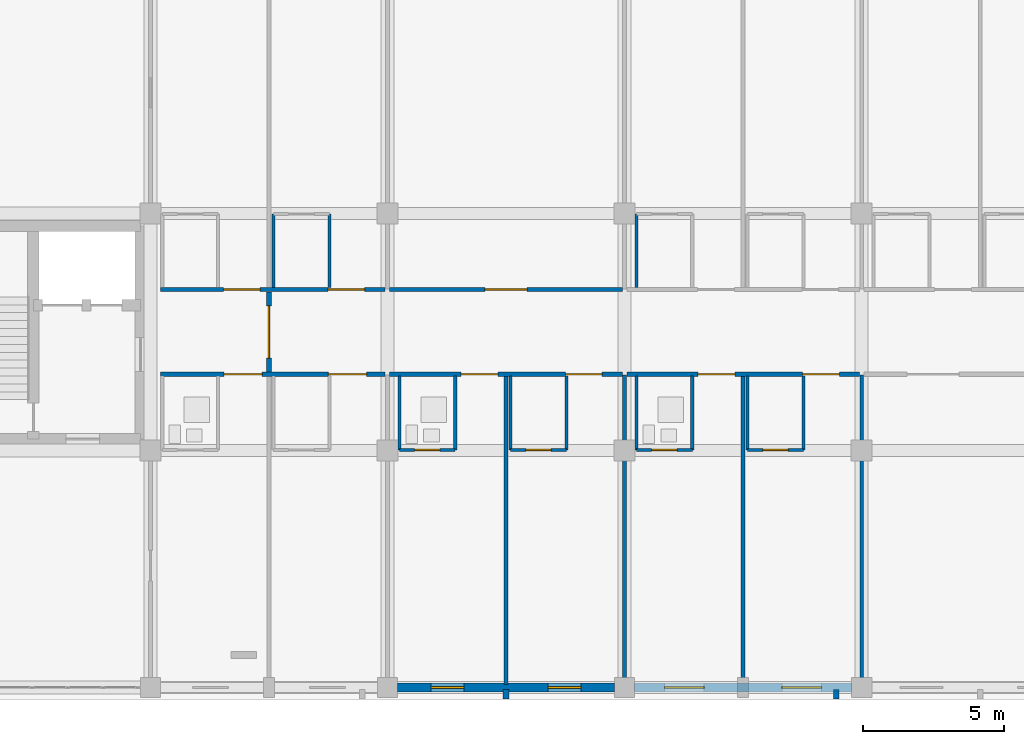
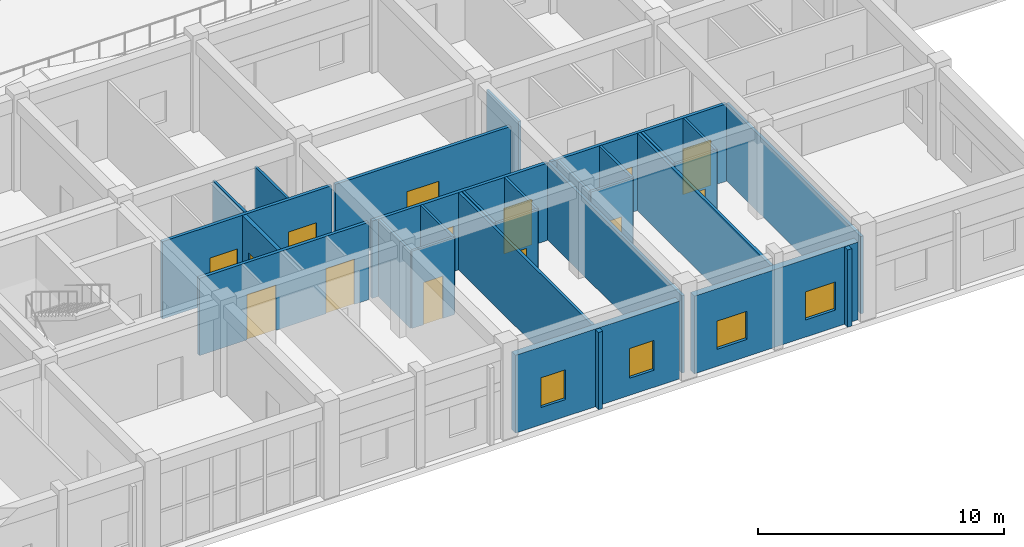
# One storey, part 122 of 158: 29 walls, 14 doors, 4 windows, 18 openings.
"""IFC4 building model written with IfcOpenShell, lengths in metres."""

from ifc_helpers import new_model, si_unit, direction, frame, frame_2d, origin, place, context, subcontext, project, spatial, rectangle, extrude, material, layer, layer_set, type_object, element, fill, save


model = new_model("IFC4")

# Units and contexts
model_context = context("Model", 3, precision=1e-05, world=origin(), true_north=direction((0.0, 1.0)))
body_context = subcontext(model_context, "Body", "Model", "MODEL_VIEW")
ifc_project = project(units=[si_unit("LENGTHUNIT", "METRE"), si_unit("AREAUNIT", "SQUARE_METRE"), si_unit("VOLUMEUNIT", "CUBIC_METRE"), si_unit("PLANEANGLEUNIT", "RADIAN"), si_unit("MASSUNIT", "GRAM", prefix="KILO")], contexts=[model_context])

# Site, building, storey
site_placement = place(None, origin())
site = spatial("IfcSite", under=ifc_project, at=site_placement, CompositionType="ELEMENT")
building_placement = place(site_placement, origin())
building = spatial("IfcBuilding", under=site, at=building_placement, Name="Trelvath General Hospital", CompositionType="ELEMENT")
storey_placement = place(building_placement, frame((0.0, 0.0, 8.10009765625)))
storey = spatial("IfcBuildingStorey", under=building, at=storey_placement, Name="L02", CompositionType="ELEMENT", Elevation=8.10009765625)

# Walls
ifc_material_1 = material(Name="Precast concrete C40/50", Category="concrete")
ifc_layer_1 = layer(ifc_material_1, 0.199951171875)
ifc_layer_set_1 = layer_set([ifc_layer_1], Name="Precast concrete C40/50")
wall_type_1 = type_object("IfcWallType", Name="BriseSoleilRib 200", PredefinedType="ELEMENTEDWALL", material=ifc_layer_set_1)
for number, where, z_axis, x_axis, name in (
    (1, (113.39990234375, -0.074951171875, 0.0), (0.0, 0.0, 1.0), (0.0, -1.0, 0.0), "Precast Concrete Brise-Soleil Rib Fin L02-211"),
    (2, (125.106689453125, -0.074951171875, 0.0), (0.0, 0.0, 1.0), (0.0, -1.0, 0.0), "Precast Concrete Brise-Soleil Rib Fin L02-215"),
):
    element("IfcWall", number, at=place(storey_placement, frame(where, z_axis=z_axis, x_axis=x_axis)), inside=storey, type_object=wall_type_1, Name=name, PredefinedType="ELEMENTEDWALL", context=body_context, shape_type="SweptSolid", body=[
        extrude(rectangle(XDim=0.340087890625, YDim=0.199951171875, at=frame_2d((0.169921875, 0.0))), origin(), (0.0, 0.0, 1.0), 3.83984375),
    ])

# Wall, openings, doors
ifc_material_2 = material(Name="Gypsum acoustic steel-stud partition", Category="steel")
ifc_layer_2 = layer(ifc_material_2, 0.14990234375)
ifc_layer_set_2 = layer_set([ifc_layer_2], Name="Gypsum acoustic steel-stud partition")
wall_type_2 = type_object("IfcWallType", Name="ClinicalPartition 150", PredefinedType="PARTITIONING", material=ifc_layer_set_2)
wall_1_placement = place(storey_placement, frame((101.159912109375, 11.10009765625, 0.0), z_axis=(0.0, 0.0, 1.0), x_axis=(1.0, 0.0, 0.0)))
wall_1 = element("IfcWall", 3, at=wall_1_placement, inside=storey, type_object=wall_type_2, Name="Corridor Partition L02-795", PredefinedType="PARTITIONING", context=body_context, shape_type="SweptSolid", body=[
    extrude(rectangle(XDim=7.960205078125, YDim=0.14990234375, at=frame_2d((3.97998046875, 0.0))), origin(), (0.0, 0.0, 1.0), 3.83984375),
])
opening_1_placement = place(wall_1_placement, frame((2.25, 0.0, 0.0)))
opening_1 = element("IfcOpeningElement", 4, at=opening_1_placement, cuts=wall_1, Name="Opening D-2-0686", PredefinedType="OPENING", context=body_context, shape_type="SweptSolid", body=[
    extrude(rectangle(XDim=1.35009765625, YDim=2.25, at=frame_2d((0.675048828125, 1.125))), frame((0.0, 0.0849609375, 0.0), z_axis=(0.0, -1.0, 0.0), x_axis=(1.0, 0.0, 0.0)), (0.0, 0.0, 1.0), 0.169921875),
])
opening_2_placement = place(wall_1_placement, frame((5.949951171875, 0.0, 0.0)))
opening_2 = element("IfcOpeningElement", 5, at=opening_2_placement, cuts=wall_1, Name="Opening D-2-0687", PredefinedType="OPENING", context=body_context, shape_type="SweptSolid", body=[
    extrude(rectangle(XDim=1.35009765625, YDim=2.25, at=frame_2d((0.675048828125, 1.125))), frame((0.0, 0.0849609375, 0.0), z_axis=(0.0, -1.0, 0.0), x_axis=(1.0, 0.0, 0.0)), (0.0, 0.0, 1.0), 0.169921875),
])
ifc_material_3 = material(Name="Airtight isolation bed door")
door_type_1 = type_object("IfcDoorType", Name="Door PatientIso 1350x2250", OperationType="NOTDEFINED", PredefinedType="DOOR", material=ifc_material_3)
door_1_placement = place(opening_1_placement, origin())
door_1 = element("IfcDoor", 6, at=door_1_placement, inside=storey, type_object=door_type_1, Name="Patient Room Door L02-686", OperationType="SINGLE_SWING_LEFT", OverallHeight=2.25, OverallWidth=1.35009765625, PredefinedType="DOOR", context=body_context, shape_type="SweptSolid", body=[
    extrude(rectangle(XDim=1.35009765625, YDim=2.25, at=frame_2d((0.675048828125, 1.125))), frame((0.0, 0.02490234375, 0.0), z_axis=(0.0, -1.0, 0.0), x_axis=(1.0, 0.0, 0.0)), (0.0, 0.0, 1.0), 0.050048828125),
])
fill(opening_1, door_1)
door_2_placement = place(opening_2_placement, origin())
door_2 = element("IfcDoor", 7, at=door_2_placement, inside=storey, type_object=door_type_1, Name="Patient Room Door L02-687", OperationType="SINGLE_SWING_RIGHT", OverallHeight=2.25, OverallWidth=1.35009765625, PredefinedType="DOOR", context=body_context, shape_type="SweptSolid", body=[
    extrude(rectangle(XDim=1.35009765625, YDim=2.25, at=frame_2d((0.675048828125, 1.125))), frame((0.0, 0.02490234375, 0.0), z_axis=(0.0, -1.0, 0.0), x_axis=(1.0, 0.0, 0.0)), (0.0, 0.0, 1.0), 0.050048828125),
])
fill(opening_2, door_2)

wall_2_placement = place(storey_placement, frame((109.1201171875, 14.10009765625, 0.0), z_axis=(0.0, 0.0, 1.0), x_axis=(-1.0, 0.0, 0.0)))
wall_2 = element("IfcWall", 8, at=wall_2_placement, inside=storey, type_object=wall_type_2, Name="Corridor Partition N L02-804", PredefinedType="PARTITIONING", context=body_context, shape_type="SweptSolid", body=[
    extrude(rectangle(XDim=7.960205078125, YDim=0.14990234375, at=frame_2d((3.97998046875, 0.0))), origin(), (0.0, 0.0, 1.0), 3.83984375),
])
opening_3_placement = place(wall_2_placement, frame((0.72998046875, 0.0, 0.0)))
opening_3 = element("IfcOpeningElement", 9, at=opening_3_placement, cuts=wall_2, Name="Opening D-2-0690", PredefinedType="OPENING", context=body_context, shape_type="SweptSolid", body=[
    extrude(rectangle(XDim=1.300048828125, YDim=2.25, at=frame_2d((0.64990234375, 1.125))), frame((0.0, 0.0849609375, 0.0), z_axis=(0.0, -1.0, 0.0), x_axis=(1.0, 0.0, 0.0)), (0.0, 0.0, 1.0), 0.169921875),
])
opening_4_placement = place(wall_2_placement, frame((4.429931640625, 0.0, 0.0)))
opening_4 = element("IfcOpeningElement", 10, at=opening_4_placement, cuts=wall_2, Name="Opening D-2-0691", PredefinedType="OPENING", context=body_context, shape_type="SweptSolid", body=[
    extrude(rectangle(XDim=1.300048828125, YDim=2.25, at=frame_2d((0.64990234375, 1.125))), frame((0.0, 0.0849609375, 0.0), z_axis=(0.0, -1.0, 0.0), x_axis=(1.0, 0.0, 0.0)), (0.0, 0.0, 1.0), 0.169921875),
])
ifc_material_4 = material(Name="Hospital bed-leaf timber door", Category="wood")
door_type_2 = type_object("IfcDoorType", Name="Door PatientBed 1300x2250", OperationType="NOTDEFINED", PredefinedType="DOOR", material=ifc_material_4)
door_3_placement = place(opening_3_placement, origin())
door_3 = element("IfcDoor", 11, at=door_3_placement, inside=storey, type_object=door_type_2, Name="Patient Room Door N L02-690", OperationType="SINGLE_SWING_LEFT", OverallHeight=2.25, OverallWidth=1.300048828125, PredefinedType="DOOR", context=body_context, shape_type="SweptSolid", body=[
    extrude(rectangle(XDim=1.300048828125, YDim=2.25, at=frame_2d((0.64990234375, 1.125))), frame((0.0, 0.02490234375, 0.0), z_axis=(0.0, -1.0, 0.0), x_axis=(1.0, 0.0, 0.0)), (0.0, 0.0, 1.0), 0.050048828125),
])
fill(opening_3, door_3)
door_4_placement = place(opening_4_placement, origin())
door_4 = element("IfcDoor", 12, at=door_4_placement, inside=storey, type_object=door_type_2, Name="Patient Room Door N L02-691", OperationType="SINGLE_SWING_LEFT", OverallHeight=2.25, OverallWidth=1.300048828125, PredefinedType="DOOR", context=body_context, shape_type="SweptSolid", body=[
    extrude(rectangle(XDim=1.300048828125, YDim=2.25, at=frame_2d((0.64990234375, 1.125))), frame((0.0, 0.02490234375, 0.0), z_axis=(0.0, -1.0, 0.0), x_axis=(1.0, 0.0, 0.0)), (0.0, 0.0, 1.0), 0.050048828125),
])
fill(opening_4, door_4)

wall_3_placement = place(storey_placement, frame((109.280029296875, 11.10009765625, 0.0), z_axis=(0.0, 0.0, 1.0), x_axis=(1.0, 0.0, 0.0)))
wall_3 = element("IfcWall", 13, at=wall_3_placement, inside=storey, type_object=wall_type_2, Name="Corridor Partition L02-815", PredefinedType="PARTITIONING", context=body_context, shape_type="SweptSolid", body=[
    extrude(rectangle(XDim=8.239990234375, YDim=0.14990234375, at=frame_2d((4.1201171875, 0.0))), origin(), (0.0, 0.0, 1.0), 3.83984375),
])
opening_5_placement = place(wall_3_placement, frame((2.530029296875, 0.0, 0.0)))
opening_5 = element("IfcOpeningElement", 14, at=opening_5_placement, cuts=wall_3, Name="Opening D-2-0695", PredefinedType="OPENING", context=body_context, shape_type="SweptSolid", body=[
    extrude(rectangle(XDim=1.300048828125, YDim=2.25, at=frame_2d((0.64990234375, 1.125))), frame((0.0, 0.0849609375, 0.0), z_axis=(0.0, -1.0, 0.0), x_axis=(1.0, 0.0, 0.0)), (0.0, 0.0, 1.0), 0.169921875),
])
opening_6_placement = place(wall_3_placement, frame((6.22998046875, 0.0, 0.0)))
opening_6 = element("IfcOpeningElement", 15, at=opening_6_placement, cuts=wall_3, Name="Opening D-2-0696", PredefinedType="OPENING", context=body_context, shape_type="SweptSolid", body=[
    extrude(rectangle(XDim=1.300048828125, YDim=2.25, at=frame_2d((0.64990234375, 1.125))), frame((0.0, 0.0849609375, 0.0), z_axis=(0.0, -1.0, 0.0), x_axis=(1.0, 0.0, 0.0)), (0.0, 0.0, 1.0), 0.169921875),
])
door_5_placement = place(opening_5_placement, origin())
door_5 = element("IfcDoor", 16, at=door_5_placement, inside=storey, type_object=door_type_2, Name="Patient Room Door L02-695", OperationType="SINGLE_SWING_RIGHT", OverallHeight=2.25, OverallWidth=1.300048828125, PredefinedType="DOOR", context=body_context, shape_type="SweptSolid", body=[
    extrude(rectangle(XDim=1.300048828125, YDim=2.25, at=frame_2d((0.64990234375, 1.125))), frame((0.0, 0.02490234375, 0.0), z_axis=(0.0, -1.0, 0.0), x_axis=(1.0, 0.0, 0.0)), (0.0, 0.0, 1.0), 0.050048828125),
])
fill(opening_5, door_5)
door_6_placement = place(opening_6_placement, origin())
door_6 = element("IfcDoor", 17, at=door_6_placement, inside=storey, type_object=door_type_2, Name="Patient Room Door L02-696", OperationType="SINGLE_SWING_LEFT", OverallHeight=2.25, OverallWidth=1.300048828125, PredefinedType="DOOR", context=body_context, shape_type="SweptSolid", body=[
    extrude(rectangle(XDim=1.300048828125, YDim=2.25, at=frame_2d((0.64990234375, 1.125))), frame((0.0, 0.02490234375, 0.0), z_axis=(0.0, -1.0, 0.0), x_axis=(1.0, 0.0, 0.0)), (0.0, 0.0, 1.0), 0.050048828125),
])
fill(opening_6, door_6)

# Wall, opening, door
wall_4_placement = place(storey_placement, frame((117.52001953125, 14.10009765625, 0.0), z_axis=(0.0, 0.0, 1.0), x_axis=(-1.0, 0.0, 0.0)))
wall_4 = element("IfcWall", 18, at=wall_4_placement, inside=storey, type_object=wall_type_2, Name="Corridor Partition N L02-823", PredefinedType="PARTITIONING", context=body_context, shape_type="SweptSolid", body=[
    extrude(rectangle(XDim=8.239990234375, YDim=0.14990234375, at=frame_2d((4.1201171875, 0.0))), origin(), (0.0, 0.0, 1.0), 3.83984375),
])
opening_7_placement = place(wall_4_placement, frame((3.3701171875, 0.0, 0.0)))
opening_7 = element("IfcOpeningElement", 19, at=opening_7_placement, cuts=wall_4, Name="Opening D-2-0699", PredefinedType="OPENING", context=body_context, shape_type="SweptSolid", body=[
    extrude(rectangle(XDim=1.5, YDim=2.300048828125, at=frame_2d((0.75, 1.14990234375))), frame((0.0, 0.0849609375, 0.0), z_axis=(0.0, -1.0, 0.0), x_axis=(1.0, 0.0, 0.0)), (0.0, 0.0, 1.0), 0.169921875),
])
ifc_material_5 = material(Name="Glazed aluminium ICU sliding door", Category="aluminium")
door_type_3 = type_object("IfcDoorType", Name="Door ICUSliding 1500x2300", OperationType="SLIDING_TO_LEFT", PredefinedType="DOOR", material=ifc_material_5)
door_7_placement = place(opening_7_placement, origin())
door_7 = element("IfcDoor", 20, at=door_7_placement, inside=storey, type_object=door_type_3, Name="Clinical Room Door L02-699", OperationType="SLIDING_TO_LEFT", OverallHeight=2.300048828125, OverallWidth=1.5, PredefinedType="DOOR", context=body_context, shape_type="SweptSolid", body=[
    extrude(rectangle(XDim=1.5, YDim=2.300048828125, at=frame_2d((0.75, 1.14990234375))), frame((0.0, 0.02490234375, 0.0), z_axis=(0.0, -1.0, 0.0), x_axis=(1.0, 0.0, 0.0)), (0.0, 0.0, 1.0), 0.050048828125),
])
fill(opening_7, door_7)

# Wall, openings, doors
wall_5_placement = place(storey_placement, frame((117.679931640625, 11.10009765625, 0.0), z_axis=(0.0, 0.0, 1.0), x_axis=(1.0, 0.0, 0.0)))
wall_5 = element("IfcWall", 21, at=wall_5_placement, inside=storey, type_object=wall_type_2, Name="Corridor Partition L02-826", PredefinedType="PARTITIONING", context=body_context, shape_type="SweptSolid", body=[
    extrude(rectangle(XDim=8.239990234375, YDim=0.14990234375, at=frame_2d((4.1201171875, 0.0))), origin(), (0.0, 0.0, 1.0), 3.83984375),
])
opening_8_placement = place(wall_5_placement, frame((2.530029296875, 0.0, 0.0)))
opening_8 = element("IfcOpeningElement", 22, at=opening_8_placement, cuts=wall_5, Name="Opening D-2-0700", PredefinedType="OPENING", context=body_context, shape_type="SweptSolid", body=[
    extrude(rectangle(XDim=1.300048828125, YDim=2.25, at=frame_2d((0.64990234375, 1.125))), frame((0.0, 0.0849609375, 0.0), z_axis=(0.0, -1.0, 0.0), x_axis=(1.0, 0.0, 0.0)), (0.0, 0.0, 1.0), 0.169921875),
])
opening_9_placement = place(wall_5_placement, frame((6.22998046875, 0.0, 0.0)))
opening_9 = element("IfcOpeningElement", 23, at=opening_9_placement, cuts=wall_5, Name="Opening D-2-0701", PredefinedType="OPENING", context=body_context, shape_type="SweptSolid", body=[
    extrude(rectangle(XDim=1.300048828125, YDim=2.25, at=frame_2d((0.64990234375, 1.125))), frame((0.0, 0.0849609375, 0.0), z_axis=(0.0, -1.0, 0.0), x_axis=(1.0, 0.0, 0.0)), (0.0, 0.0, 1.0), 0.169921875),
])
door_8_placement = place(opening_8_placement, origin())
door_8 = element("IfcDoor", 24, at=door_8_placement, inside=storey, type_object=door_type_2, Name="Patient Room Door L02-700", OperationType="SINGLE_SWING_RIGHT", OverallHeight=2.25, OverallWidth=1.300048828125, PredefinedType="DOOR", context=body_context, shape_type="SweptSolid", body=[
    extrude(rectangle(XDim=1.300048828125, YDim=2.25, at=frame_2d((0.64990234375, 1.125))), frame((0.0, 0.02490234375, 0.0), z_axis=(0.0, -1.0, 0.0), x_axis=(1.0, 0.0, 0.0)), (0.0, 0.0, 1.0), 0.050048828125),
])
fill(opening_8, door_8)
door_9_placement = place(opening_9_placement, origin())
door_9 = element("IfcDoor", 25, at=door_9_placement, inside=storey, type_object=door_type_2, Name="Patient Room Door L02-701", OperationType="SINGLE_SWING_LEFT", OverallHeight=2.25, OverallWidth=1.300048828125, PredefinedType="DOOR", context=body_context, shape_type="SweptSolid", body=[
    extrude(rectangle(XDim=1.300048828125, YDim=2.25, at=frame_2d((0.64990234375, 1.125))), frame((0.0, 0.02490234375, 0.0), z_axis=(0.0, -1.0, 0.0), x_axis=(1.0, 0.0, 0.0)), (0.0, 0.0, 1.0), 0.050048828125),
])
fill(opening_9, door_9)

# Walls
ifc_material_6 = material(Name="Moisture-resistant tile partition")
ifc_layer_3 = layer(ifc_material_6, 0.110107421875)
ifc_layer_set_3 = layer_set([ifc_layer_3], Name="Moisture-resistant tile partition")
wall_type_3 = type_object("IfcWallType", Name="EnSuiteWetWall 110", PredefinedType="PARTITIONING", material=ifc_layer_set_3)
for number, where, z_axis, x_axis, name in (
    (26, (105.159912109375, 14.169921875, 0.0), (0.0, 0.0, 1.0), (0.0, 1.0, 0.0), "En-Suite W Wall N L02-809"),
    (27, (107.139892578125, 14.169921875, 0.0), (0.0, 0.0, 1.0), (0.0, 1.0, 0.0), "En-Suite E Wall N L02-810"),
    (28, (109.6201171875, 8.419921875, 0.0), (0.0, 0.0, 1.0), (0.0, 1.0, 0.0), "En-Suite W Wall L02-817"),
    (29, (111.60009765625, 8.419921875, 0.0), (0.0, 0.0, 1.0), (0.0, 1.0, 0.0), "En-Suite E Wall L02-818"),
):
    element("IfcWall", number, at=place(storey_placement, frame(where, z_axis=z_axis, x_axis=x_axis)), inside=storey, type_object=wall_type_3, Name=name, PredefinedType="PARTITIONING", context=body_context, shape_type="SweptSolid", body=[
        extrude(rectangle(XDim=2.610107421875, YDim=0.110107421875, at=frame_2d((1.30517578125, 0.0))), origin(), (0.0, 0.0, 1.0), 3.83984375),
    ])

# Wall, opening, door
wall_6_placement = place(storey_placement, frame((109.6201171875, 8.419921875, 0.0), z_axis=(0.0, 0.0, 1.0), x_axis=(1.0, 0.0, 0.0)))
wall_6 = element("IfcWall", 30, at=wall_6_placement, inside=storey, type_object=wall_type_3, Name="En-Suite Bathroom Partition L02-819", PredefinedType="PARTITIONING", context=body_context, shape_type="SweptSolid", body=[
    extrude(rectangle(XDim=1.97998046875, YDim=0.110107421875, at=frame_2d((0.989990234375, 0.0))), origin(), (0.0, 0.0, 1.0), 3.83984375),
])
opening_10_placement = place(wall_6_placement, frame((0.5400390625, 0.0, 0.0)))
opening_10 = element("IfcOpeningElement", 31, at=opening_10_placement, cuts=wall_6, Name="Opening D-2-0697", PredefinedType="OPENING", context=body_context, shape_type="SweptSolid", body=[
    extrude(rectangle(XDim=0.89990234375, YDim=2.10009765625, at=frame_2d((0.449951171875, 1.050048828125))), frame((0.0, 0.06494140625, 0.0), z_axis=(0.0, -1.0, 0.0), x_axis=(1.0, 0.0, 0.0)), (0.0, 0.0, 1.0), 0.130126953125),
])
ifc_material_7 = material(Name="Moisture-sealed timber leaf", Category="wood")
door_type_4 = type_object("IfcDoorType", Name="Door EnSuite 900x2100", OperationType="NOTDEFINED", PredefinedType="DOOR", material=ifc_material_7)
door_10_placement = place(opening_10_placement, origin())
door_10 = element("IfcDoor", 32, at=door_10_placement, inside=storey, type_object=door_type_4, Name="En-Suite Bathroom Door L02-697", OperationType="SINGLE_SWING_RIGHT", OverallHeight=2.10009765625, OverallWidth=0.89990234375, PredefinedType="DOOR", context=body_context, shape_type="SweptSolid", body=[
    extrude(rectangle(XDim=0.89990234375, YDim=2.10009765625, at=frame_2d((0.449951171875, 1.050048828125))), frame((0.0, 0.02490234375, 0.0), z_axis=(0.0, -1.0, 0.0), x_axis=(1.0, 0.0, 0.0)), (0.0, 0.0, 1.0), 0.050048828125),
])
fill(opening_10, door_10)

# Walls
for number, where, z_axis, x_axis, name in (
    (33, (113.56005859375, 8.419921875, 0.0), (0.0, 0.0, 1.0), (0.0, 1.0, 0.0), "En-Suite W Wall L02-820"),
    (34, (115.5400390625, 8.419921875, 0.0), (0.0, 0.0, 1.0), (0.0, 1.0, 0.0), "En-Suite E Wall L02-821"),
):
    element("IfcWall", number, at=place(storey_placement, frame(where, z_axis=z_axis, x_axis=x_axis)), inside=storey, type_object=wall_type_3, Name=name, PredefinedType="PARTITIONING", context=body_context, shape_type="SweptSolid", body=[
        extrude(rectangle(XDim=2.610107421875, YDim=0.110107421875, at=frame_2d((1.30517578125, 0.0))), origin(), (0.0, 0.0, 1.0), 3.83984375),
    ])

# Wall, opening, door
wall_7_placement = place(storey_placement, frame((113.56005859375, 8.419921875, 0.0), z_axis=(0.0, 0.0, 1.0), x_axis=(1.0, 0.0, 0.0)))
wall_7 = element("IfcWall", 35, at=wall_7_placement, inside=storey, type_object=wall_type_3, Name="En-Suite Bathroom Partition L02-822", PredefinedType="PARTITIONING", context=body_context, shape_type="SweptSolid", body=[
    extrude(rectangle(XDim=1.97998046875, YDim=0.110107421875, at=frame_2d((0.989990234375, 0.0))), origin(), (0.0, 0.0, 1.0), 3.83984375),
])
opening_11_placement = place(wall_7_placement, frame((0.5400390625, 0.0, 0.0)))
opening_11 = element("IfcOpeningElement", 36, at=opening_11_placement, cuts=wall_7, Name="Opening D-2-0698", PredefinedType="OPENING", context=body_context, shape_type="SweptSolid", body=[
    extrude(rectangle(XDim=0.89990234375, YDim=2.10009765625, at=frame_2d((0.449951171875, 1.050048828125))), frame((0.0, 0.06494140625, 0.0), z_axis=(0.0, -1.0, 0.0), x_axis=(1.0, 0.0, 0.0)), (0.0, 0.0, 1.0), 0.130126953125),
])
door_11_placement = place(opening_11_placement, origin())
door_11 = element("IfcDoor", 37, at=door_11_placement, inside=storey, type_object=door_type_4, Name="En-Suite Bathroom Door L02-698", OperationType="SINGLE_SWING_LEFT", OverallHeight=2.10009765625, OverallWidth=0.89990234375, PredefinedType="DOOR", context=body_context, shape_type="SweptSolid", body=[
    extrude(rectangle(XDim=0.89990234375, YDim=2.10009765625, at=frame_2d((0.449951171875, 1.050048828125))), frame((0.0, 0.02490234375, 0.0), z_axis=(0.0, -1.0, 0.0), x_axis=(1.0, 0.0, 0.0)), (0.0, 0.0, 1.0), 0.050048828125),
])
fill(opening_11, door_11)

# Walls
for number, where, z_axis, x_axis, name in (
    (38, (118.02001953125, 8.419921875, 0.0), (0.0, 0.0, 1.0), (0.0, 1.0, 0.0), "En-Suite W Wall L02-828"),
    (39, (120.0, 8.419921875, 0.0), (0.0, 0.0, 1.0), (0.0, 1.0, 0.0), "En-Suite E Wall L02-829"),
):
    element("IfcWall", number, at=place(storey_placement, frame(where, z_axis=z_axis, x_axis=x_axis)), inside=storey, type_object=wall_type_3, Name=name, PredefinedType="PARTITIONING", context=body_context, shape_type="SweptSolid", body=[
        extrude(rectangle(XDim=2.610107421875, YDim=0.110107421875, at=frame_2d((1.30517578125, 0.0))), origin(), (0.0, 0.0, 1.0), 3.83984375),
    ])

# Wall, opening, door
wall_8_placement = place(storey_placement, frame((118.02001953125, 8.419921875, 0.0), z_axis=(0.0, 0.0, 1.0), x_axis=(1.0, 0.0, 0.0)))
wall_8 = element("IfcWall", 40, at=wall_8_placement, inside=storey, type_object=wall_type_3, Name="En-Suite Bathroom Partition L02-830", PredefinedType="PARTITIONING", context=body_context, shape_type="SweptSolid", body=[
    extrude(rectangle(XDim=1.97998046875, YDim=0.110107421875, at=frame_2d((0.989990234375, 0.0))), origin(), (0.0, 0.0, 1.0), 3.83984375),
])
opening_12_placement = place(wall_8_placement, frame((0.5400390625, 0.0, 0.0)))
opening_12 = element("IfcOpeningElement", 41, at=opening_12_placement, cuts=wall_8, Name="Opening D-2-0702", PredefinedType="OPENING", context=body_context, shape_type="SweptSolid", body=[
    extrude(rectangle(XDim=0.89990234375, YDim=2.10009765625, at=frame_2d((0.449951171875, 1.050048828125))), frame((0.0, 0.06494140625, 0.0), z_axis=(0.0, -1.0, 0.0), x_axis=(1.0, 0.0, 0.0)), (0.0, 0.0, 1.0), 0.130126953125),
])
door_12_placement = place(opening_12_placement, origin())
door_12 = element("IfcDoor", 42, at=door_12_placement, inside=storey, type_object=door_type_4, Name="En-Suite Bathroom Door L02-702", OperationType="SINGLE_SWING_RIGHT", OverallHeight=2.10009765625, OverallWidth=0.89990234375, PredefinedType="DOOR", context=body_context, shape_type="SweptSolid", body=[
    extrude(rectangle(XDim=0.89990234375, YDim=2.10009765625, at=frame_2d((0.449951171875, 1.050048828125))), frame((0.0, 0.02490234375, 0.0), z_axis=(0.0, -1.0, 0.0), x_axis=(1.0, 0.0, 0.0)), (0.0, 0.0, 1.0), 0.050048828125),
])
fill(opening_12, door_12)

# Walls
for number, where, z_axis, x_axis, name in (
    (43, (121.9599609375, 8.419921875, 0.0), (0.0, 0.0, 1.0), (0.0, 1.0, 0.0), "En-Suite W Wall L02-831"),
    (44, (123.93994140625, 8.419921875, 0.0), (0.0, 0.0, 1.0), (0.0, 1.0, 0.0), "En-Suite E Wall L02-832"),
):
    element("IfcWall", number, at=place(storey_placement, frame(where, z_axis=z_axis, x_axis=x_axis)), inside=storey, type_object=wall_type_3, Name=name, PredefinedType="PARTITIONING", context=body_context, shape_type="SweptSolid", body=[
        extrude(rectangle(XDim=2.610107421875, YDim=0.110107421875, at=frame_2d((1.30517578125, 0.0))), origin(), (0.0, 0.0, 1.0), 3.83984375),
    ])

# Wall, opening, door
wall_9_placement = place(storey_placement, frame((121.9599609375, 8.419921875, 0.0), z_axis=(0.0, 0.0, 1.0), x_axis=(1.0, 0.0, 0.0)))
wall_9 = element("IfcWall", 45, at=wall_9_placement, inside=storey, type_object=wall_type_3, Name="En-Suite Bathroom Partition L02-833", PredefinedType="PARTITIONING", context=body_context, shape_type="SweptSolid", body=[
    extrude(rectangle(XDim=1.97998046875, YDim=0.110107421875, at=frame_2d((0.989990234375, 0.0))), origin(), (0.0, 0.0, 1.0), 3.83984375),
])
opening_13_placement = place(wall_9_placement, frame((0.5400390625, 0.0, 0.0)))
opening_13 = element("IfcOpeningElement", 46, at=opening_13_placement, cuts=wall_9, Name="Opening D-2-0703", PredefinedType="OPENING", context=body_context, shape_type="SweptSolid", body=[
    extrude(rectangle(XDim=0.89990234375, YDim=2.10009765625, at=frame_2d((0.449951171875, 1.050048828125))), frame((0.0, 0.06494140625, 0.0), z_axis=(0.0, -1.0, 0.0), x_axis=(1.0, 0.0, 0.0)), (0.0, 0.0, 1.0), 0.130126953125),
])
door_13_placement = place(opening_13_placement, origin())
door_13 = element("IfcDoor", 47, at=door_13_placement, inside=storey, type_object=door_type_4, Name="En-Suite Bathroom Door L02-703", OperationType="SINGLE_SWING_LEFT", OverallHeight=2.10009765625, OverallWidth=0.89990234375, PredefinedType="DOOR", context=body_context, shape_type="SweptSolid", body=[
    extrude(rectangle(XDim=0.89990234375, YDim=2.10009765625, at=frame_2d((0.449951171875, 1.050048828125))), frame((0.0, 0.02490234375, 0.0), z_axis=(0.0, -1.0, 0.0), x_axis=(1.0, 0.0, 0.0)), (0.0, 0.0, 1.0), 0.050048828125),
])
fill(opening_13, door_13)

# Wall
wall_10_placement = place(storey_placement, frame((118.02001953125, 14.169921875, 0.0), z_axis=(0.0, 0.0, 1.0), x_axis=(0.0, 1.0, 0.0)))
element("IfcWall", 48, at=wall_10_placement, inside=storey, type_object=wall_type_3, Name="En-Suite W Wall N L02-836", PredefinedType="PARTITIONING", context=body_context, shape_type="SweptSolid", body=[
    extrude(rectangle(XDim=2.610107421875, YDim=0.110107421875, at=frame_2d((1.30517578125, 0.0))), origin(), (0.0, 0.0, 1.0), 3.83984375),
])

# Wall, openings, windows
ifc_material_8 = material(Name="Concrete C35/45", Category="concrete")
ifc_layer_4 = layer(ifc_material_8, 0.320068359375)
ifc_layer_set_4 = layer_set([ifc_layer_4], Name="Concrete C35/45")
wall_type_4 = type_object("IfcWallType", Name="ExtThermalWall 320", PredefinedType="SOLIDWALL", material=ifc_layer_set_4)
wall_11_placement = place(storey_placement, frame((117.2451171875, 0.0, 0.0), z_axis=(0.0, 0.0, 1.0), x_axis=(-1.0, 0.0, 0.0)))
wall_11 = element("IfcWall", 49, at=wall_11_placement, inside=storey, type_object=wall_type_4, Name="Exterior Concrete Wall L02-288", PredefinedType="SOLIDWALL", context=body_context, shape_type="SweptSolid", body=[
    extrude(rectangle(XDim=7.690185546875, YDim=0.320068359375, at=frame_2d((3.84521484375, 0.0))), origin(), (0.0, 0.0, 1.0), 3.85986328125),
])
opening_14_placement = place(wall_11_placement, frame((1.188720703125, 0.0, 0.85009765625)))
opening_14 = element("IfcOpeningElement", 50, at=opening_14_placement, cuts=wall_11, Name="Opening WN-2-453", PredefinedType="OPENING", context=body_context, shape_type="SweptSolid", body=[
    extrude(rectangle(XDim=1.159912109375, YDim=1.47998046875, at=frame_2d((0.580078125, 0.739990234375))), frame((0.0, 0.169921875, 0.0), z_axis=(0.0, -1.0, 0.0), x_axis=(1.0, 0.0, 0.0)), (0.0, 0.0, 1.0), 0.340087890625),
])
opening_15_placement = place(wall_11_placement, frame((5.34130859375, 0.0, 0.85009765625)))
opening_15 = element("IfcOpeningElement", 51, at=opening_15_placement, cuts=wall_11, Name="Opening WN-2-454", PredefinedType="OPENING", context=body_context, shape_type="SweptSolid", body=[
    extrude(rectangle(XDim=1.159912109375, YDim=1.47998046875, at=frame_2d((0.580078125, 0.739990234375))), frame((0.0, 0.169921875, 0.0), z_axis=(0.0, -1.0, 0.0), x_axis=(1.0, 0.0, 0.0)), (0.0, 0.0, 1.0), 0.340087890625),
])
ifc_material_9 = material(Name="Low-E laminated glass", Category="glass")
window_type_1 = type_object("IfcWindowType", Name="Window Cardiology 1160x1480", PartitioningType="SINGLE_PANEL", PredefinedType="WINDOW", material=ifc_material_9)
window_1_placement = place(opening_14_placement, origin())
window_1 = element("IfcWindow", 52, at=window_1_placement, inside=storey, type_object=window_type_1, Name="Solar Reveal Window L02-453", OverallHeight=1.47998046875, OverallWidth=1.159912109375, PartitioningType="SINGLE_PANEL", PredefinedType="WINDOW", context=body_context, shape_type="SweptSolid", body=[
    extrude(rectangle(XDim=1.159912109375, YDim=1.47998046875, at=frame_2d((0.580078125, 0.739990234375))), frame((0.0, 0.030029296875, 0.0), z_axis=(0.0, -1.0, 0.0), x_axis=(1.0, 0.0, 0.0)), (0.0, 0.0, 1.0), 0.06005859375),
])
fill(opening_14, window_1)
window_2_placement = place(opening_15_placement, origin())
window_2 = element("IfcWindow", 53, at=window_2_placement, inside=storey, type_object=window_type_1, Name="Solar Reveal Window L02-454", OverallHeight=1.47998046875, OverallWidth=1.159912109375, PartitioningType="SINGLE_PANEL", PredefinedType="WINDOW", context=body_context, shape_type="SweptSolid", body=[
    extrude(rectangle(XDim=1.159912109375, YDim=1.47998046875, at=frame_2d((0.580078125, 0.739990234375))), frame((0.0, 0.030029296875, 0.0), z_axis=(0.0, -1.0, 0.0), x_axis=(1.0, 0.0, 0.0)), (0.0, 0.0, 1.0), 0.06005859375),
])
fill(opening_15, window_2)

wall_12_placement = place(storey_placement, frame((125.64501953125, 0.0, 0.0), z_axis=(0.0, 0.0, 1.0), x_axis=(-1.0, 0.0, 0.0)))
wall_12 = element("IfcWall", 54, at=wall_12_placement, inside=storey, type_object=wall_type_4, Name="Exterior Concrete Wall L02-292", PredefinedType="SOLIDWALL", context=body_context, shape_type="SweptSolid", body=[
    extrude(rectangle(XDim=7.68994140625, YDim=0.320068359375, at=frame_2d((3.844970703125, 0.0))), origin(), (0.0, 0.0, 1.0), 3.85986328125),
])
opening_16_placement = place(wall_12_placement, frame((1.068603515625, 0.0, 0.85009765625)))
opening_16 = element("IfcOpeningElement", 55, at=opening_16_placement, cuts=wall_12, Name="Opening WN-2-461", PredefinedType="OPENING", context=body_context, shape_type="SweptSolid", body=[
    extrude(rectangle(XDim=1.39990234375, YDim=1.39990234375, at=frame_2d((0.699951171875, 0.699951171875))), frame((0.0, 0.169921875, 0.0), z_axis=(0.0, -1.0, 0.0), x_axis=(1.0, 0.0, 0.0)), (0.0, 0.0, 1.0), 0.340087890625),
])
opening_17_placement = place(wall_12_placement, frame((5.22119140625, 0.0, 0.85009765625)))
opening_17 = element("IfcOpeningElement", 56, at=opening_17_placement, cuts=wall_12, Name="Opening WN-2-462", PredefinedType="OPENING", context=body_context, shape_type="SweptSolid", body=[
    extrude(rectangle(XDim=1.39990234375, YDim=1.39990234375, at=frame_2d((0.699951171875, 0.699951171875))), frame((0.0, 0.169921875, 0.0), z_axis=(0.0, -1.0, 0.0), x_axis=(1.0, 0.0, 0.0)), (0.0, 0.0, 1.0), 0.340087890625),
])
ifc_material_10 = material(Name="Low-E laminated glass", Category="glass")
window_type_2 = type_object("IfcWindowType", Name="Window Surgical 1400x1400", PartitioningType="DOUBLE_PANEL_VERTICAL", PredefinedType="WINDOW", material=ifc_material_10)
window_3_placement = place(opening_16_placement, origin())
window_3 = element("IfcWindow", 57, at=window_3_placement, inside=storey, type_object=window_type_2, Name="Solar Reveal Window L02-461", OverallHeight=1.39990234375, OverallWidth=1.39990234375, PartitioningType="SINGLE_PANEL", PredefinedType="WINDOW", context=body_context, shape_type="SweptSolid", body=[
    extrude(rectangle(XDim=1.39990234375, YDim=1.39990234375, at=frame_2d((0.699951171875, 0.699951171875))), frame((0.0, 0.030029296875, 0.0), z_axis=(0.0, -1.0, 0.0), x_axis=(1.0, 0.0, 0.0)), (0.0, 0.0, 1.0), 0.06005859375),
])
fill(opening_16, window_3)
window_4_placement = place(opening_17_placement, origin())
window_4 = element("IfcWindow", 58, at=window_4_placement, inside=storey, type_object=window_type_2, Name="Solar Reveal Window L02-462", OverallHeight=1.39990234375, OverallWidth=1.39990234375, PartitioningType="SINGLE_PANEL", PredefinedType="WINDOW", context=body_context, shape_type="SweptSolid", body=[
    extrude(rectangle(XDim=1.39990234375, YDim=1.39990234375, at=frame_2d((0.699951171875, 0.699951171875))), frame((0.0, 0.030029296875, 0.0), z_axis=(0.0, -1.0, 0.0), x_axis=(1.0, 0.0, 0.0)), (0.0, 0.0, 1.0), 0.06005859375),
])
fill(opening_17, window_4)

# Wall, opening, door
ifc_material_11 = material(Name="Masonry fire blockwork", Category="masonry")
ifc_layer_5 = layer(ifc_material_11, 0.179931640625)
ifc_layer_set_5 = layer_set([ifc_layer_5], Name="Masonry fire blockwork")
wall_type_5 = type_object("IfcWallType", Name="SmokeBarrierWall 180", PredefinedType="PARTITIONING", material=ifc_layer_set_5)
wall_13_placement = place(storey_placement, frame((105.0, 11.179931640625, 0.0), z_axis=(0.0, 0.0, 1.0), x_axis=(0.0, 1.0, 0.0)))
wall_13 = element("IfcWall", 59, at=wall_13_placement, inside=storey, type_object=wall_type_5, Name="Smoke Compartment Barrier L02-812", PredefinedType="PARTITIONING", context=body_context, shape_type="SweptSolid", body=[
    extrude(rectangle(XDim=2.840087890625, YDim=0.179931640625, at=frame_2d((1.419921875, 0.0))), origin(), (0.0, 0.0, 1.0), 3.83984375),
])
opening_18_placement = place(wall_13_placement, frame((0.4951171875, 0.0, 0.0)))
opening_18 = element("IfcOpeningElement", 60, at=opening_18_placement, cuts=wall_13, Name="Opening SD-2-0694", PredefinedType="OPENING", context=body_context, shape_type="SweptSolid", body=[
    extrude(rectangle(XDim=1.85009765625, YDim=2.300048828125, at=frame_2d((0.925048828125, 1.14990234375))), frame((0.0, 0.099853515625, 0.0), z_axis=(0.0, -1.0, 0.0), x_axis=(1.0, 0.0, 0.0)), (0.0, 0.0, 1.0), 0.199951171875),
])
ifc_material_12 = material(Name="Fire-rated steel cross-corridor pair", Category="steel")
door_type_5 = type_object("IfcDoorType", Name="Door SmokeCross 1850x2300", OperationType="DOUBLE_SWING_LEFT", PredefinedType="DOOR", material=ifc_material_12)
door_14_placement = place(opening_18_placement, origin())
door_14 = element("IfcDoor", 61, at=door_14_placement, inside=storey, type_object=door_type_5, Name="Cross-Corridor Smoke Door L02-694", OperationType="SLIDING_TO_LEFT", OverallHeight=2.300048828125, OverallWidth=1.85009765625, PredefinedType="DOOR", context=body_context, shape_type="SweptSolid", body=[
    extrude(rectangle(XDim=1.85009765625, YDim=2.300048828125, at=frame_2d((0.925048828125, 1.14990234375))), frame((0.0, 0.02490234375, 0.0), z_axis=(0.0, -1.0, 0.0), x_axis=(1.0, 0.0, 0.0)), (0.0, 0.0, 1.0), 0.050048828125),
])
fill(opening_18, door_14)

# Walls
ifc_material_13 = material(Name="Gypsum acoustic steel-stud partition", Category="steel")
ifc_layer_6 = layer(ifc_material_13, 0.1298828125)
ifc_layer_set_6 = layer_set([ifc_layer_6], Name="Gypsum acoustic steel-stud partition")
wall_type_6 = type_object("IfcWallType", Name="WardPartition 130", PredefinedType="PARTITIONING", material=ifc_layer_set_6)
wall_14_placement = place(storey_placement, frame((113.39990234375, 0.10009765625, 0.0), z_axis=(0.0, 0.0, 1.0), x_axis=(0.0, 1.0, 0.0)))
element("IfcWall", 62, at=wall_14_placement, inside=storey, type_object=wall_type_6, Name="Room Dividing Partition S L02-816", PredefinedType="PARTITIONING", context=body_context, shape_type="SweptSolid", body=[
    extrude(rectangle(XDim=10.929931640625, YDim=0.1298828125, at=frame_2d((5.46484375, 0.0))), origin(), (0.0, 0.0, 1.0), 3.83984375),
])
wall_15_placement = place(storey_placement, frame((117.60009765625, 0.139892578125, 0.0), z_axis=(0.0, 0.0, 1.0), x_axis=(0.0, 1.0, 0.0)))
element("IfcWall", 63, at=wall_15_placement, inside=storey, type_object=wall_type_6, Name="Inter-Bay Ward Partition S L02-824", PredefinedType="PARTITIONING", context=body_context, shape_type="SweptSolid", body=[
    extrude(rectangle(XDim=10.940185546875, YDim=0.1298828125, at=frame_2d((5.47021484375, 0.0))), origin(), (0.0, 0.0, 1.0), 3.83984375),
])
wall_16_placement = place(storey_placement, frame((121.800048828125, 0.10009765625, 0.0), z_axis=(0.0, 0.0, 1.0), x_axis=(0.0, 1.0, 0.0)))
element("IfcWall", 64, at=wall_16_placement, inside=storey, type_object=wall_type_6, Name="Room Dividing Partition S L02-827", PredefinedType="PARTITIONING", context=body_context, shape_type="SweptSolid", body=[
    extrude(rectangle(XDim=10.929931640625, YDim=0.1298828125, at=frame_2d((5.46484375, 0.0))), origin(), (0.0, 0.0, 1.0), 3.83984375),
])
wall_17_placement = place(storey_placement, frame((126.0, 0.139892578125, 0.0), z_axis=(0.0, 0.0, 1.0), x_axis=(0.0, 1.0, 0.0)))
element("IfcWall", 65, at=wall_17_placement, inside=storey, type_object=wall_type_6, Name="Inter-Bay Ward Partition S L02-842", PredefinedType="PARTITIONING", context=body_context, shape_type="SweptSolid", body=[
    extrude(rectangle(XDim=10.940185546875, YDim=0.1298828125, at=frame_2d((5.47021484375, 0.0))), origin(), (0.0, 0.0, 1.0), 3.83984375),
])

save(model, "model.ifc")
